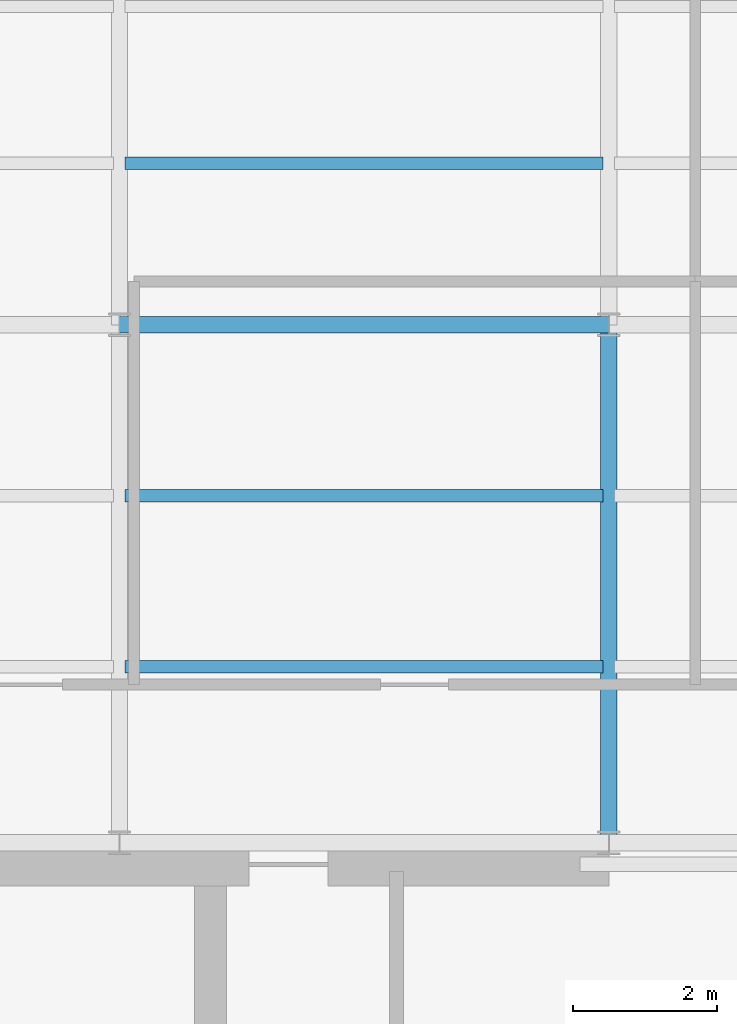
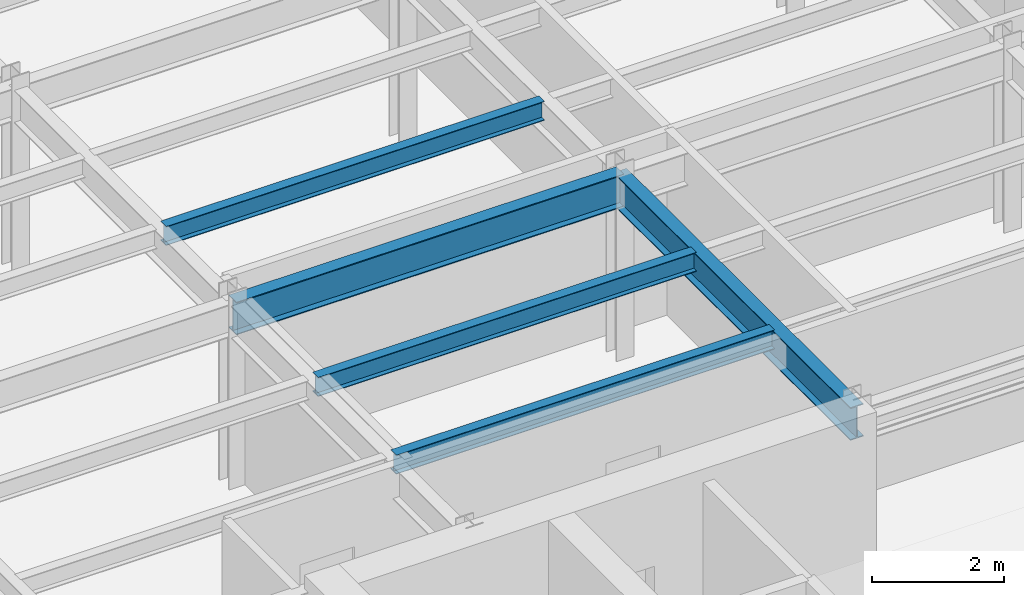
# One storey, part 6 of 22: 5 beams.
"""IFC4 building model written with IfcOpenShell, lengths in metres."""

from ifc_helpers import new_model, si_unit, derived_unit, direction, frame, origin, origin_2d, place, context, subcontext, project, spatial, i_section, extrude, source, transform, mapped, material, material_profile, profile_set, type_object, element, save


model = new_model("IFC4")

# Units and contexts
model_context = context("Model", 3, precision=1e-05, world=origin(), true_north=direction((0.0, 1.0)))
body_context = subcontext(model_context, "Body", "Model", "MODEL_VIEW")
ifc_project = project(units=[si_unit("LENGTHUNIT", "METRE"), si_unit("AREAUNIT", "SQUARE_METRE"), si_unit("VOLUMEUNIT", "CUBIC_METRE"), si_unit("PLANEANGLEUNIT", "RADIAN"), si_unit("MASSUNIT", "GRAM", prefix="KILO"), derived_unit("THERMALTRANSMITTANCEUNIT", [(si_unit("POWERUNIT", "WATT"), 1), (si_unit("LENGTHUNIT", "METRE"), -2), (si_unit("THERMODYNAMICTEMPERATUREUNIT", "KELVIN"), -1)])], contexts=[model_context])

# Site, building, storey
site_placement = place(None, origin())
site = spatial("IfcSite", under=ifc_project, at=site_placement, CompositionType="ELEMENT")
building_placement = place(site_placement, origin())
building = spatial("IfcBuilding", under=site, at=building_placement, Name="Skarnbrae Concourse Arena and Tower", CompositionType="ELEMENT")
storey_placement = place(building_placement, frame((0.0, 0.0, 217.800048828125)))
storey = spatial("IfcBuildingStorey", under=building, at=storey_placement, Name="L56", CompositionType="ELEMENT", Elevation=217.800048828125)

# Beams
ifc_material = material(Name="Steel CSA G40.21 350W", Category="steel")
ifc_material_profile_1 = material_profile(ifc_material, i_section(OverallWidth=0.22802734375, OverallDepth=0.60791015625, WebThickness=0.01123046875, FlangeThickness=0.017333984375, at=origin_2d()), Name="W610X113")
ifc_profile_set_1 = profile_set([ifc_material_profile_1], Name="Steel CSA G40.21 350W")
beam_type_1 = type_object("IfcBeamType", Name="BM-GIRD-W610X113", PredefinedType="BEAM", material=ifc_profile_set_1)
shared_shape_1 = source(origin(), body_context, "Body", "SweptSolid", [
    extrude(i_section(OverallWidth=0.22802734375, OverallDepth=0.60791015625, WebThickness=0.01123046875, FlangeThickness=0.017333984375, at=origin_2d()), origin(), (0.0, 0.0, 1.0), 6.7998046875),
])
beam_1_placement = place(storey_placement, frame((7.60009765625, 21.199951171875, 3.095947265625), z_axis=(1.0, 0.0, 0.0), x_axis=(0.0, 1.0, 0.0)))
element("IfcBeam", 1, at=beam_1_placement, inside=storey, type_object=beam_type_1, Name="L56 Primary E-W girder Y21.2-2", PredefinedType="BEAM", context=body_context, shape_type="MappedRepresentation", body=[
    mapped(shared_shape_1, transform((0.0, 0.0, 0.0))),
])
shared_shape_2 = source(origin(), body_context, "Body", "SweptSolid", [
    extrude(i_section(OverallWidth=0.22802734375, OverallDepth=0.60791015625, WebThickness=0.01123046875, FlangeThickness=0.017333984375, at=origin_2d()), origin(), (0.0, 0.0, 1.0), 7.199951171875),
])
beam_2_placement = place(storey_placement, frame((14.39990234375, 14.0, 3.095947265625), z_axis=(0.0, 1.0, 0.0), x_axis=(-1.0, 0.0, 0.0)))
element("IfcBeam", 2, at=beam_2_placement, inside=storey, type_object=beam_type_1, Name="L56 Primary N-S girder X14.4-1", PredefinedType="BEAM", context=body_context, shape_type="MappedRepresentation", body=[
    mapped(shared_shape_2, transform((0.0, 0.0, 0.0))),
])
ifc_material_profile_2 = material_profile(ifc_material, i_section(OverallWidth=0.1708984375, OverallDepth=0.35498046875, WebThickness=0.007080078125, FlangeThickness=0.01171875, at=origin_2d()), Name="W360X51")
ifc_profile_set_2 = profile_set([ifc_material_profile_2], Name="Steel CSA G40.21 350W")
beam_type_2 = type_object("IfcBeamType", Name="BM-JOIST-W360X51", PredefinedType="JOIST", material=ifc_profile_set_2)
shared_shape_3 = source(origin(), body_context, "Body", "SweptSolid", [
    extrude(i_section(OverallWidth=0.1708984375, OverallDepth=0.35498046875, WebThickness=0.007080078125, FlangeThickness=0.01171875, at=origin_2d()), origin(), (0.0, 0.0, 1.0), 6.64013671875),
])
for number, where, z_axis, x_axis, name in (
    (3, (7.679931640625, 16.447998046875, 3.222412109375), (1.0, 0.0, 0.0), (0.0, 1.0, 0.0), "L56 Secondary floor joist 1.1.2"),
    (4, (7.679931640625, 18.823974609375, 3.222412109375), (1.0, 0.0, 0.0), (0.0, 1.0, 0.0), "L56 Secondary floor joist 1.2.2"),
    (5, (7.679931640625, 23.444091796875, 3.222412109375), (1.0, 0.0, 0.0), (0.0, 1.0, 0.0), "L56 Secondary floor joist 2.1.2"),
):
    element("IfcBeam", number, at=place(storey_placement, frame(where, z_axis=z_axis, x_axis=x_axis)), inside=storey, type_object=beam_type_2, Name=name, PredefinedType="JOIST", context=body_context, shape_type="MappedRepresentation", body=[
        mapped(shared_shape_3, transform((0.0, 0.0, 0.0))),
    ])

save(model, "model.ifc")
